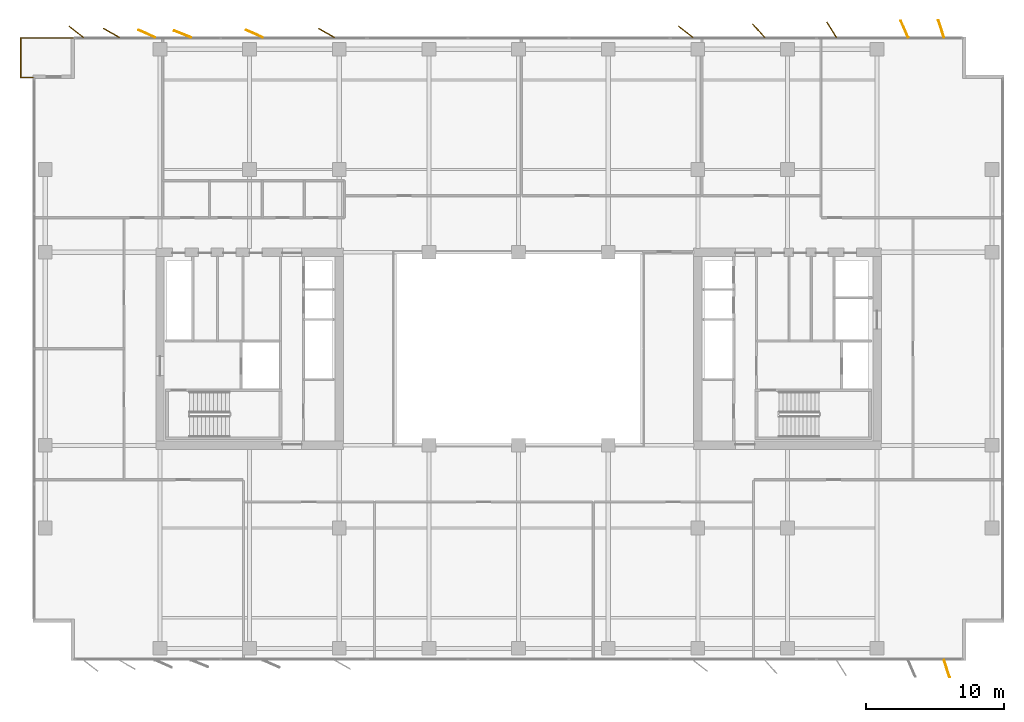
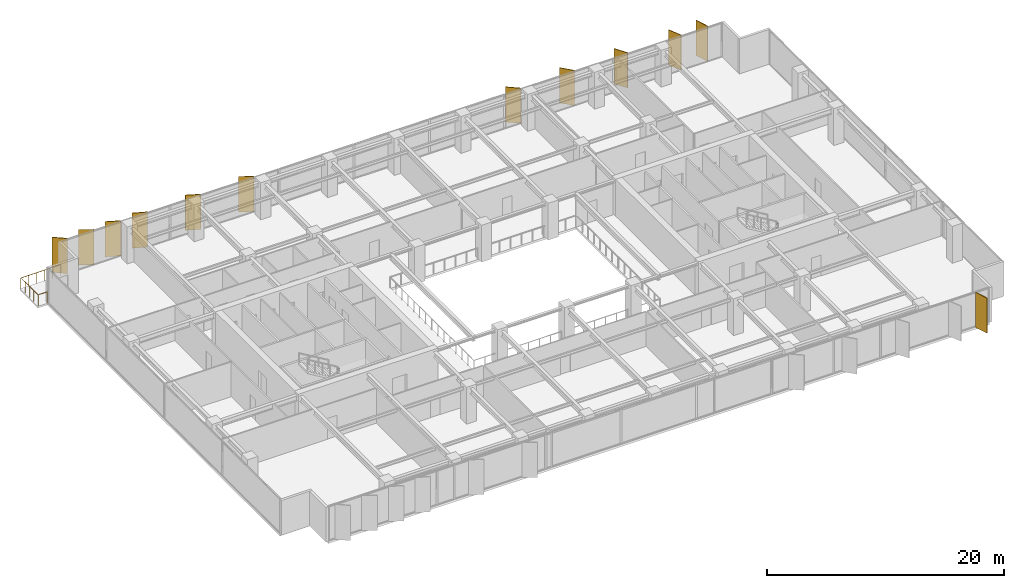
# One storey, part 22 of 22: 12 shading devices, 1 railing.
"""IFC4 building model written with IfcOpenShell, lengths in metres."""

from ifc_helpers import new_model, si_unit, direction, frame, origin, origin_2d, place, context, subcontext, project, spatial, rectangle, circle, extrude, material, layer, layer_set, type_object, element, save


model = new_model("IFC4")

# Units and contexts
model_context = context("Model", 3, precision=1e-05, world=origin(), true_north=direction((0.0, 1.0)))
body_context = subcontext(model_context, "Body", "Model", "MODEL_VIEW")
ifc_project = project(units=[si_unit("LENGTHUNIT", "METRE"), si_unit("AREAUNIT", "SQUARE_METRE"), si_unit("VOLUMEUNIT", "CUBIC_METRE"), si_unit("PLANEANGLEUNIT", "RADIAN"), si_unit("MASSUNIT", "GRAM", prefix="KILO")], contexts=[model_context])

# Site, building, storey
site_placement = place(None, origin())
site = spatial("IfcSite", under=ifc_project, at=site_placement, CompositionType="ELEMENT")
building_placement = place(site_placement, origin())
building = spatial("IfcBuilding", under=site, at=building_placement, Name="Putna Gate Headquarters", CompositionType="ELEMENT")
storey_placement = place(building_placement, frame((0.0, 0.0, 148.0)))
storey = spatial("IfcBuildingStorey", under=building, at=storey_placement, Name="L36", CompositionType="ELEMENT", Elevation=148.0)

# Railing
ifc_material_1 = material(Name="Anodised bronze steel and laminated glass guardrail", Category="steel")
railing_type = type_object("IfcRailingType", Name="RAIL-TERR-GUARD-1150", PredefinedType="GUARDRAIL", material=ifc_material_1)
railing_placement = place(storey_placement, frame((3.800048828125, 45.659912109375, 0.0)))
element("IfcRailing", 1, at=railing_placement, inside=storey, type_object=railing_type, Name="L36 Spiral Sky Terrace Guardrail NW", PredefinedType="GUARDRAIL", context=body_context, shape_type="SweptSolid", body=[
    extrude(circle(Radius=0.02392578125, at=origin_2d()), frame((0.0, 0.0, 1.1259765625), z_axis=(-1.0, 0.0, 0.0), x_axis=(0.0, -1.0, 0.0)), (0.0, 0.0, 1.0), 0.89013671875),
    extrude(circle(Radius=0.02392578125, at=origin_2d()), frame((-0.89013671875, 0.0, 1.1259765625), z_axis=(0.0, 1.0, 0.0), x_axis=(-1.0, 0.0, 0.0)), (0.0, 0.0, 1.0), 2.880126953125),
    extrude(circle(Radius=0.02392578125, at=origin_2d()), frame((-0.89013671875, 2.880126953125, 1.1259765625), z_axis=(1.0, 0.0, 0.0), x_axis=(0.0, 1.0, 0.0)), (0.0, 0.0, 1.0), 3.89013671875),
    extrude(circle(Radius=0.02099609375, at=origin_2d()), origin(), (0.0, 0.0, 1.0), 1.101806640625),
    extrude(circle(Radius=0.02099609375, at=origin_2d()), frame((-0.89013671875, 0.0, 0.0)), (0.0, 0.0, 1.0), 1.101806640625),
    extrude(circle(Radius=0.02099609375, at=origin_2d()), frame((-0.89013671875, 0.719970703125, 0.0)), (0.0, 0.0, 1.0), 1.101806640625),
    extrude(circle(Radius=0.02099609375, at=origin_2d()), frame((-0.89013671875, 1.43994140625, 0.0)), (0.0, 0.0, 1.0), 1.101806640625),
    extrude(circle(Radius=0.02099609375, at=origin_2d()), frame((-0.89013671875, 2.16015625, 0.0)), (0.0, 0.0, 1.0), 1.101806640625),
    extrude(circle(Radius=0.02099609375, at=origin_2d()), frame((-0.89013671875, 2.880126953125, 0.0)), (0.0, 0.0, 1.0), 1.101806640625),
    extrude(circle(Radius=0.02099609375, at=origin_2d()), frame((-0.112060546875, 2.880126953125, 0.0)), (0.0, 0.0, 1.0), 1.101806640625),
    extrude(circle(Radius=0.02099609375, at=origin_2d()), frame((0.666015625, 2.880126953125, 0.0)), (0.0, 0.0, 1.0), 1.101806640625),
    extrude(circle(Radius=0.02099609375, at=origin_2d()), frame((1.44384765625, 2.880126953125, 0.0)), (0.0, 0.0, 1.0), 1.101806640625),
    extrude(circle(Radius=0.02099609375, at=origin_2d()), frame((2.221923828125, 2.880126953125, 0.0)), (0.0, 0.0, 1.0), 1.101806640625),
    extrude(circle(Radius=0.02099609375, at=origin_2d()), frame((3.0, 2.880126953125, 0.0)), (0.0, 0.0, 1.0), 1.101806640625),
])

# Shading devices
ifc_material_2 = material(Name="Anodised architectural bronze aluminium fin", Category="aluminium")
ifc_layer = layer(ifc_material_2, 0.06494140625)
ifc_layer_set = layer_set([ifc_layer], Name="Anodised architectural bronze aluminium fin")
shading_device_type = type_object("IfcShadingDeviceType", Name="SHADE-BRONZE-FIN-1320", PredefinedType="USERDEFINED", material=ifc_layer_set)
for number, where, z_axis, x_axis, name in (
    (2, (6.930419921875, 48.981689453125, -0.02001953125), (0.0, 0.0, 1.0), (-0.787473187632, 0.616348909921, 0.0), "L36 Bronze Vertical Shading Fin N1"),
    (3, (9.476318359375, 48.901123046875, -0.02001953125), (0.0, 0.0, 1.0), (-0.869322458298, 0.494245347472, 0.0), "L36 Bronze Vertical Shading Fin N2"),
    (4, (12.047119140625, 48.84326171875, -0.02001953125), (0.0, 0.0, 1.0), (-0.913687379856, 0.40641773078, 0.0), "L36 Bronze Vertical Shading Fin N3"),
    (5, (14.63818359375, 48.822265625, -0.02001953125), (0.0, 0.0, 1.0), (-0.927183854567, 0.374606593416, 0.0), "L36 Bronze Vertical Shading Fin N4"),
    (6, (19.846923828125, 48.84326171875, -0.02001953125), (0.0, 0.0, 1.0), (-0.913687379856, 0.40641773078, 0.0), "L36 Bronze Vertical Shading Fin N5"),
    (7, (25.076171875, 48.901123046875, -0.02001953125), (0.0, 0.0, 1.0), (-0.869322458298, 0.494245347472, 0.0), "L36 Bronze Vertical Shading Fin N6"),
    (8, (51.13037109375, 48.981689453125, -0.02001953125), (0.0, 0.0, 1.0), (-0.787473187632, 0.616348909921, 0.0), "L36 Bronze Vertical Shading Fin N7"),
    (9, (56.408447265625, 49.0654296875, -0.02001953125), (0.0, 0.0, 1.0), (-0.669130606359, 0.743144825477, 0.0), "L36 Bronze Vertical Shading Fin N8"),
    (10, (61.69970703125, 49.134521484375, -0.02001953125), (0.0, 0.0, 1.0), (-0.530659123936, 0.847585331506, 0.0), "L36 Bronze Vertical Shading Fin N9"),
    (11, (66.985595703125, 49.1796875, -0.02001953125), (0.0, 0.0, 1.0), (-0.400668879095, 0.916222925562, 0.0), "L36 Bronze Vertical Shading Fin N10"),
    (12, (70.0537109375, 2.797119140625, -0.02001953125), (0.0, 0.0, 1.0), (0.308684994204, -0.951164325631, 0.0), "L36 Bronze Vertical Shading Fin S11"),
    (13, (69.646240234375, 49.202880859375, -0.02001953125), (0.0, 0.0, 1.0), (-0.308684994204, 0.951164325631, 0.0), "L36 Bronze Vertical Shading Fin N11"),
):
    element("IfcShadingDevice", number, at=place(storey_placement, frame(where, z_axis=z_axis, x_axis=x_axis)), inside=storey, type_object=shading_device_type, Name=name, ObjectType="FIN", PredefinedType="USERDEFINED", context=body_context, shape_type="SweptSolid", body=[
        extrude(rectangle(XDim=1.320068359375, YDim=0.06494140625, at=origin_2d()), origin(), (0.0, 0.0, 1.0), 3.612060546875),
    ])

save(model, "model.ifc")
